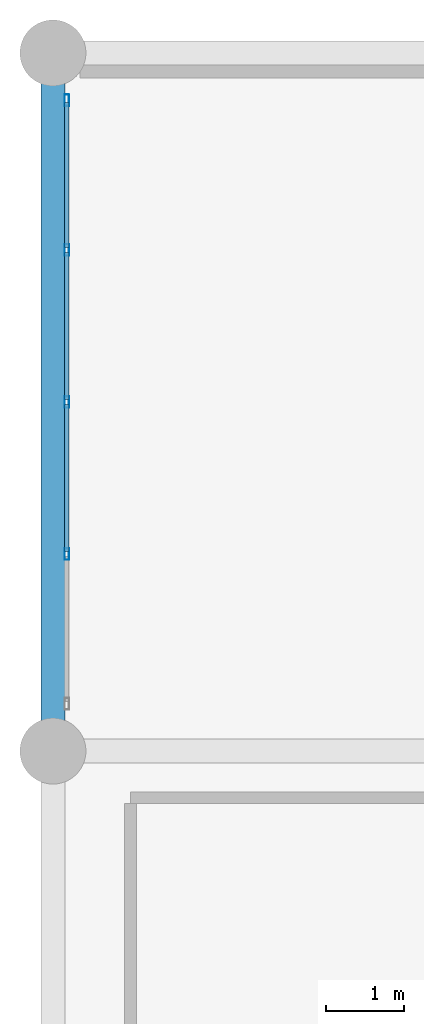
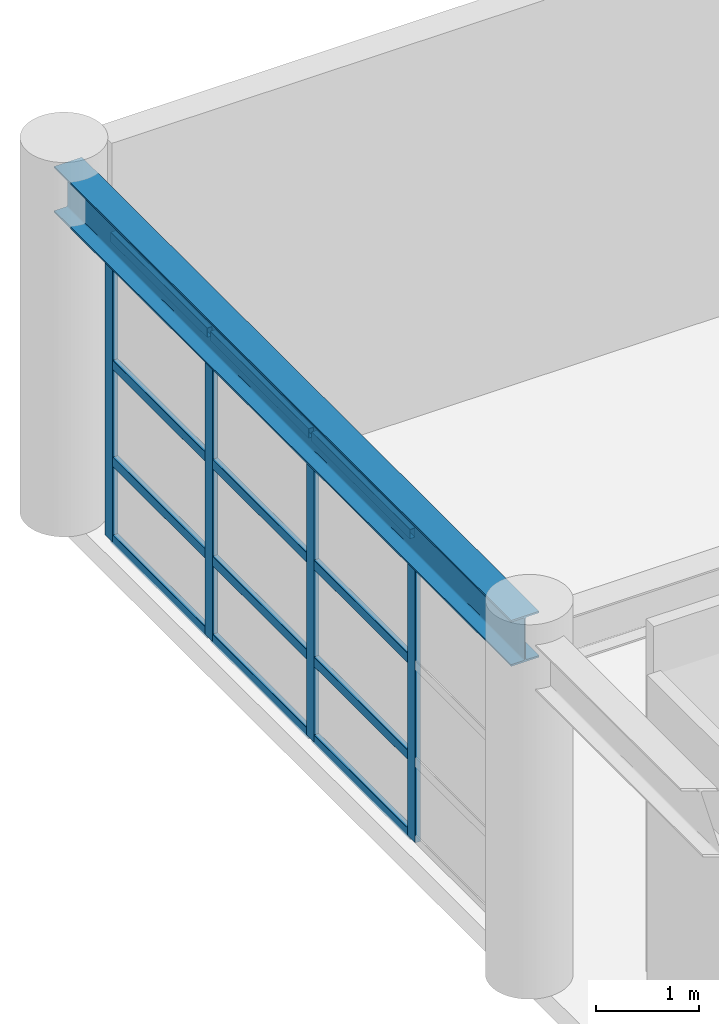
# One storey, part 63 of 133: 16 members, 1 beam, 1 element without a shape of its own.
"""IFC4 building model written with IfcOpenShell, lengths in metres."""

from ifc_helpers import new_model, si_unit, direction, frame, origin, origin_2d, place, context, subcontext, project, spatial, hollow_rectangle, i_section, extrude, material, material_profile, profile_set, type_object, element, aggregate, save


model = new_model("IFC4")

# Units and contexts
model_context = context("Model", 3, precision=1e-05, world=origin(), true_north=direction((0.0, 1.0)))
body_context = subcontext(model_context, "Body", "Model", "MODEL_VIEW")
ifc_project = project(units=[si_unit("LENGTHUNIT", "METRE"), si_unit("AREAUNIT", "SQUARE_METRE"), si_unit("VOLUMEUNIT", "CUBIC_METRE"), si_unit("PLANEANGLEUNIT", "RADIAN"), si_unit("MASSUNIT", "GRAM", prefix="KILO")], contexts=[model_context])

# Site, building, storey
site_placement = place(None, origin())
site = spatial("IfcSite", under=ifc_project, at=site_placement, CompositionType="ELEMENT")
building_placement = place(site_placement, origin())
building = spatial("IfcBuilding", under=site, at=building_placement, Name="Miravela Opera House", CompositionType="ELEMENT")
storey_placement = place(building_placement, frame((0.0, 0.0, 5.10009765625)))
storey = spatial("IfcBuildingStorey", under=building, at=storey_placement, Name="L01", CompositionType="ELEMENT", Elevation=5.10009765625)

# Curtain wall, members
ifc_material_1 = material(Name="Anodised architectural bronze aluminium 6063-T6", Category="aluminium")
curtain_wall_type = type_object("IfcCurtainWallType", Name="ARC-CW-07", PredefinedType="NOTDEFINED", material=ifc_material_1)
curtain_wall_placement = place(storey_placement, origin())
curtain_wall = element("IfcCurtainWall", 1, at=curtain_wall_placement, inside=storey, type_object=curtain_wall_type, Name="Courtyard Arcade Curtain Wall CW-L01-200", PredefinedType="NOTDEFINED")
ifc_material_profile_1 = material_profile(ifc_material_1, hollow_rectangle(XDim=0.06005859375, YDim=0.14990234375, WallThickness=0.00390625, InnerFilletRadius=0.001953125, OuterFilletRadius=0.00390625, at=origin_2d()), Name="CWM-60X150")
ifc_profile_set_1 = profile_set([ifc_material_profile_1])
member_type_1 = type_object("IfcMemberType", Name="ARC-CWM-150", PredefinedType="MULLION", material=ifc_profile_set_1)
member_1_placement = place(storey_placement, frame((0.179931640625, 105.5400390625, 0.0), z_axis=(0.0, 0.0, 1.0), x_axis=(-1.0, 0.0, 0.0)))
member_1 = element("IfcMember", 2, at=member_1_placement, type_object=member_type_1, Name="CW-07 mullion 2", PredefinedType="MULLION", context=body_context, shape_type="SweptSolid", body=[
    extrude(hollow_rectangle(XDim=0.06005859375, YDim=0.14990234375, WallThickness=0.00390625, InnerFilletRadius=0.001953125, OuterFilletRadius=0.00390625, at=origin_2d()), origin(), (0.0, 0.0, 1.0), 3.60986328125),
])
member_2_placement = place(storey_placement, frame((0.179931640625, 107.5, 0.0), z_axis=(0.0, 0.0, 1.0), x_axis=(-1.0, 0.0, 0.0)))
member_2 = element("IfcMember", 3, at=member_2_placement, type_object=member_type_1, Name="CW-07 mullion 3", PredefinedType="MULLION", context=body_context, shape_type="SweptSolid", body=[
    extrude(hollow_rectangle(XDim=0.06005859375, YDim=0.14990234375, WallThickness=0.00390625, InnerFilletRadius=0.001953125, OuterFilletRadius=0.00390625, at=origin_2d()), origin(), (0.0, 0.0, 1.0), 3.60986328125),
])
member_3_placement = place(storey_placement, frame((0.179931640625, 109.4599609375, 0.0), z_axis=(0.0, 0.0, 1.0), x_axis=(-1.0, 0.0, 0.0)))
member_3 = element("IfcMember", 4, at=member_3_placement, type_object=member_type_1, Name="CW-07 mullion 4", PredefinedType="MULLION", context=body_context, shape_type="SweptSolid", body=[
    extrude(hollow_rectangle(XDim=0.06005859375, YDim=0.14990234375, WallThickness=0.00390625, InnerFilletRadius=0.001953125, OuterFilletRadius=0.00390625, at=origin_2d()), origin(), (0.0, 0.0, 1.0), 3.60986328125),
])
member_4_placement = place(storey_placement, frame((0.179931640625, 111.389892578125, 0.0), z_axis=(0.0, 0.0, 1.0), x_axis=(-1.0, 0.0, 0.0)))
member_4 = element("IfcMember", 5, at=member_4_placement, type_object=member_type_1, Name="CW-07 mullion 5", PredefinedType="MULLION", context=body_context, shape_type="SweptSolid", body=[
    extrude(hollow_rectangle(XDim=0.06005859375, YDim=0.14990234375, WallThickness=0.00390625, InnerFilletRadius=0.001953125, OuterFilletRadius=0.00390625, at=origin_2d()), origin(), (0.0, 0.0, 1.0), 3.60986328125),
])
ifc_material_profile_2 = material_profile(ifc_material_1, hollow_rectangle(XDim=0.06005859375, YDim=0.114990234375, WallThickness=0.00390625, InnerFilletRadius=0.001953125, OuterFilletRadius=0.00390625, at=origin_2d()), Name="CWT-60X115")
ifc_profile_set_2 = profile_set([ifc_material_profile_2])
member_type_2 = type_object("IfcMemberType", Name="ARC-CWT-115", PredefinedType="USERDEFINED", material=ifc_profile_set_2)
member_5_placement = place(storey_placement, frame((0.179931640625, 105.570068359375, 0.02978515625), z_axis=(0.0, 1.0, 0.0), x_axis=(-1.0, 0.0, 0.0)))
member_5 = element("IfcMember", 6, at=member_5_placement, type_object=member_type_2, Name="CW-07 transom 2.1", ObjectType="TRANSOM", PredefinedType="USERDEFINED", context=body_context, shape_type="SweptSolid", body=[
    extrude(hollow_rectangle(XDim=0.06005859375, YDim=0.114990234375, WallThickness=0.00390625, InnerFilletRadius=0.001953125, OuterFilletRadius=0.00390625, at=origin_2d()), origin(), (0.0, 0.0, 1.0), 1.89990234375),
])
member_6_placement = place(storey_placement, frame((0.179931640625, 105.570068359375, 0.949951171875), z_axis=(0.0, 1.0, 0.0), x_axis=(-1.0, 0.0, 0.0)))
member_6 = element("IfcMember", 7, at=member_6_placement, type_object=member_type_2, Name="CW-07 transom 2.2", ObjectType="TRANSOM", PredefinedType="USERDEFINED", context=body_context, shape_type="SweptSolid", body=[
    extrude(hollow_rectangle(XDim=0.06005859375, YDim=0.114990234375, WallThickness=0.00390625, InnerFilletRadius=0.001953125, OuterFilletRadius=0.00390625, at=origin_2d()), origin(), (0.0, 0.0, 1.0), 1.89990234375),
])
member_7_placement = place(storey_placement, frame((0.179931640625, 105.570068359375, 2.09375), z_axis=(0.0, 1.0, 0.0), x_axis=(-1.0, 0.0, 0.0)))
member_7 = element("IfcMember", 8, at=member_7_placement, type_object=member_type_2, Name="CW-07 transom 2.3", ObjectType="TRANSOM", PredefinedType="USERDEFINED", context=body_context, shape_type="SweptSolid", body=[
    extrude(hollow_rectangle(XDim=0.06005859375, YDim=0.114990234375, WallThickness=0.00390625, InnerFilletRadius=0.001953125, OuterFilletRadius=0.00390625, at=origin_2d()), origin(), (0.0, 0.0, 1.0), 1.89990234375),
])
member_8_placement = place(storey_placement, frame((0.179931640625, 105.570068359375, 3.579833984375), z_axis=(0.0, 1.0, 0.0), x_axis=(-1.0, 0.0, 0.0)))
member_8 = element("IfcMember", 9, at=member_8_placement, type_object=member_type_2, Name="CW-07 transom 2.4", ObjectType="TRANSOM", PredefinedType="USERDEFINED", context=body_context, shape_type="SweptSolid", body=[
    extrude(hollow_rectangle(XDim=0.06005859375, YDim=0.114990234375, WallThickness=0.00390625, InnerFilletRadius=0.001953125, OuterFilletRadius=0.00390625, at=origin_2d()), origin(), (0.0, 0.0, 1.0), 1.89990234375),
])
member_9_placement = place(storey_placement, frame((0.179931640625, 107.530029296875, 0.02978515625), z_axis=(0.0, 1.0, 0.0), x_axis=(-1.0, 0.0, 0.0)))
member_9 = element("IfcMember", 10, at=member_9_placement, type_object=member_type_2, Name="CW-07 transom 3.1", ObjectType="TRANSOM", PredefinedType="USERDEFINED", context=body_context, shape_type="SweptSolid", body=[
    extrude(hollow_rectangle(XDim=0.06005859375, YDim=0.114990234375, WallThickness=0.00390625, InnerFilletRadius=0.001953125, OuterFilletRadius=0.00390625, at=origin_2d()), origin(), (0.0, 0.0, 1.0), 1.89990234375),
])
member_10_placement = place(storey_placement, frame((0.179931640625, 107.530029296875, 0.949951171875), z_axis=(0.0, 1.0, 0.0), x_axis=(-1.0, 0.0, 0.0)))
member_10 = element("IfcMember", 11, at=member_10_placement, type_object=member_type_2, Name="CW-07 transom 3.2", ObjectType="TRANSOM", PredefinedType="USERDEFINED", context=body_context, shape_type="SweptSolid", body=[
    extrude(hollow_rectangle(XDim=0.06005859375, YDim=0.114990234375, WallThickness=0.00390625, InnerFilletRadius=0.001953125, OuterFilletRadius=0.00390625, at=origin_2d()), origin(), (0.0, 0.0, 1.0), 1.89990234375),
])
member_11_placement = place(storey_placement, frame((0.179931640625, 107.530029296875, 2.09375), z_axis=(0.0, 1.0, 0.0), x_axis=(-1.0, 0.0, 0.0)))
member_11 = element("IfcMember", 12, at=member_11_placement, type_object=member_type_2, Name="CW-07 transom 3.3", ObjectType="TRANSOM", PredefinedType="USERDEFINED", context=body_context, shape_type="SweptSolid", body=[
    extrude(hollow_rectangle(XDim=0.06005859375, YDim=0.114990234375, WallThickness=0.00390625, InnerFilletRadius=0.001953125, OuterFilletRadius=0.00390625, at=origin_2d()), origin(), (0.0, 0.0, 1.0), 1.89990234375),
])
member_12_placement = place(storey_placement, frame((0.179931640625, 107.530029296875, 3.579833984375), z_axis=(0.0, 1.0, 0.0), x_axis=(-1.0, 0.0, 0.0)))
member_12 = element("IfcMember", 13, at=member_12_placement, type_object=member_type_2, Name="CW-07 transom 3.4", ObjectType="TRANSOM", PredefinedType="USERDEFINED", context=body_context, shape_type="SweptSolid", body=[
    extrude(hollow_rectangle(XDim=0.06005859375, YDim=0.114990234375, WallThickness=0.00390625, InnerFilletRadius=0.001953125, OuterFilletRadius=0.00390625, at=origin_2d()), origin(), (0.0, 0.0, 1.0), 1.89990234375),
])
member_13_placement = place(storey_placement, frame((0.179931640625, 109.489990234375, 0.02978515625), z_axis=(0.0, 1.0, 0.0), x_axis=(-1.0, 0.0, 0.0)))
member_13 = element("IfcMember", 14, at=member_13_placement, type_object=member_type_2, Name="CW-07 transom 4.1", ObjectType="TRANSOM", PredefinedType="USERDEFINED", context=body_context, shape_type="SweptSolid", body=[
    extrude(hollow_rectangle(XDim=0.06005859375, YDim=0.114990234375, WallThickness=0.00390625, InnerFilletRadius=0.001953125, OuterFilletRadius=0.00390625, at=origin_2d()), origin(), (0.0, 0.0, 1.0), 1.8701171875),
])
member_14_placement = place(storey_placement, frame((0.179931640625, 109.489990234375, 0.949951171875), z_axis=(0.0, 1.0, 0.0), x_axis=(-1.0, 0.0, 0.0)))
member_14 = element("IfcMember", 15, at=member_14_placement, type_object=member_type_2, Name="CW-07 transom 4.2", ObjectType="TRANSOM", PredefinedType="USERDEFINED", context=body_context, shape_type="SweptSolid", body=[
    extrude(hollow_rectangle(XDim=0.06005859375, YDim=0.114990234375, WallThickness=0.00390625, InnerFilletRadius=0.001953125, OuterFilletRadius=0.00390625, at=origin_2d()), origin(), (0.0, 0.0, 1.0), 1.8701171875),
])
member_15_placement = place(storey_placement, frame((0.179931640625, 109.489990234375, 2.09375), z_axis=(0.0, 1.0, 0.0), x_axis=(-1.0, 0.0, 0.0)))
member_15 = element("IfcMember", 16, at=member_15_placement, type_object=member_type_2, Name="CW-07 transom 4.3", ObjectType="TRANSOM", PredefinedType="USERDEFINED", context=body_context, shape_type="SweptSolid", body=[
    extrude(hollow_rectangle(XDim=0.06005859375, YDim=0.114990234375, WallThickness=0.00390625, InnerFilletRadius=0.001953125, OuterFilletRadius=0.00390625, at=origin_2d()), origin(), (0.0, 0.0, 1.0), 1.8701171875),
])
member_16_placement = place(storey_placement, frame((0.179931640625, 109.489990234375, 3.579833984375), z_axis=(0.0, 1.0, 0.0), x_axis=(-1.0, 0.0, 0.0)))
member_16 = element("IfcMember", 17, at=member_16_placement, type_object=member_type_2, Name="CW-07 transom 4.4", ObjectType="TRANSOM", PredefinedType="USERDEFINED", context=body_context, shape_type="SweptSolid", body=[
    extrude(hollow_rectangle(XDim=0.06005859375, YDim=0.114990234375, WallThickness=0.00390625, InnerFilletRadius=0.001953125, OuterFilletRadius=0.00390625, at=origin_2d()), origin(), (0.0, 0.0, 1.0), 1.8701171875),
])
aggregate(curtain_wall, [member_1, member_2, member_3, member_4, member_5, member_6, member_7, member_8, member_9, member_10, member_11, member_12, member_13, member_14, member_15, member_16])

# Beam
ifc_material_2 = material(Name="Structural steel ASTM A992 Gr. 50", Category="steel")
ifc_material_profile_3 = material_profile(ifc_material_2, i_section(OverallWidth=0.31201171875, OverallDepth=0.54296875, WebThickness=0.0126953125, FlangeThickness=0.020263671875, FilletRadius=0.01611328125, at=origin_2d()), Name="W530X150")
ifc_profile_set_3 = profile_set([ifc_material_profile_3])
beam_type = type_object("IfcBeamType", Name="STR-BM-W530X150", PredefinedType="BEAM", material=ifc_profile_set_3)
beam_placement = place(storey_placement, frame((0.0, 103.080078125, 3.908447265625), z_axis=(0.0, 1.0, 0.0), x_axis=(-1.0, 0.0, 0.0)))
element("IfcBeam", 18, at=beam_placement, inside=storey, type_object=beam_type, Name="Roof Eave Girder ROOF-V5-NORTH W3", PredefinedType="BEAM", context=body_context, shape_type="SweptSolid", body=[
    extrude(i_section(OverallWidth=0.31201171875, OverallDepth=0.54296875, WebThickness=0.0126953125, FlangeThickness=0.020263671875, FilletRadius=0.01611328125, at=origin_2d()), origin(), (0.0, 0.0, 1.0), 8.83984375),
])

save(model, "model.ifc")
